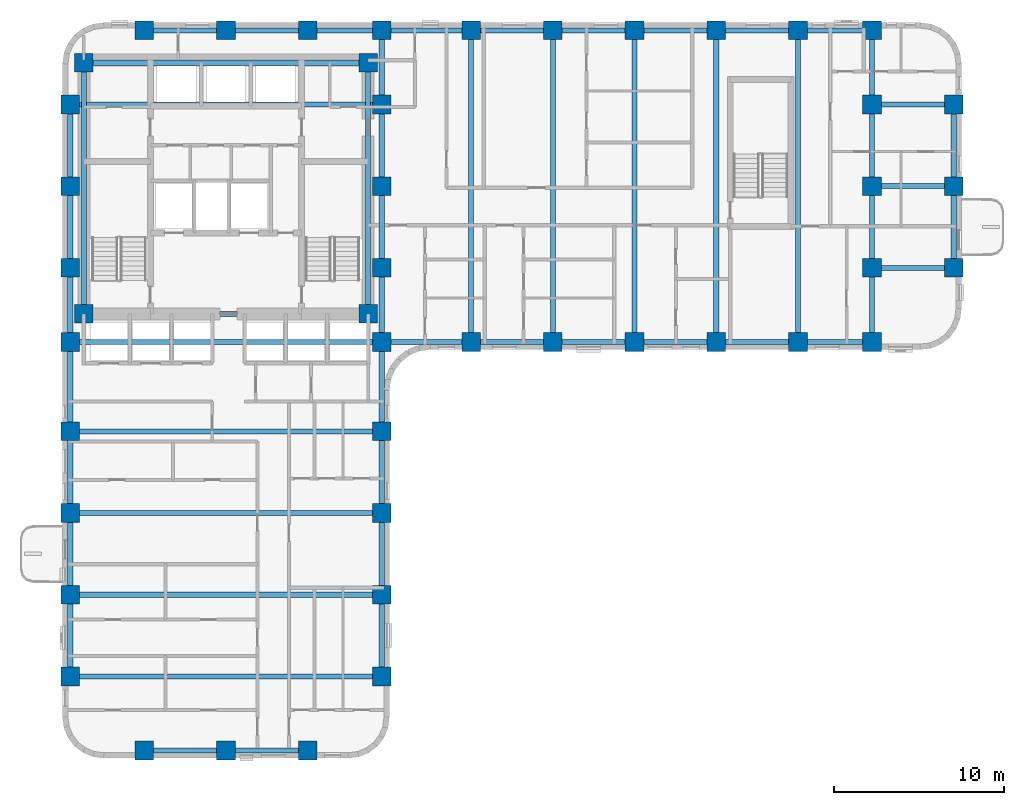
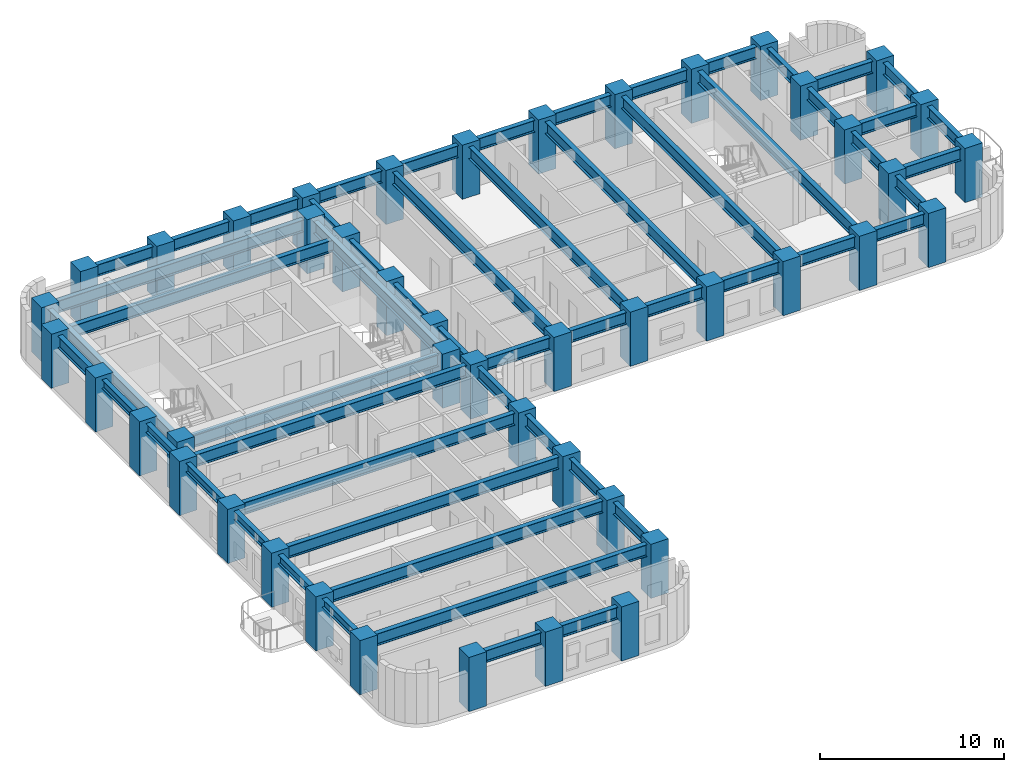
# One storey, part 1 of 11: 56 beams, 45 columns.
"""IFC4 building model written with IfcOpenShell, lengths in metres."""

from ifc_helpers import new_model, si_unit, direction, frame, origin, origin_2d, place, context, subcontext, project, spatial, rectangle, i_section, extrude, material, material_profile, profile_set, type_object, element, save


model = new_model("IFC4")

# Units and contexts
model_context = context("Model", 3, precision=1e-05, world=origin(), true_north=direction((0.0, 1.0)))
body_context = subcontext(model_context, "Body", "Model", "MODEL_VIEW")
ifc_project = project(units=[si_unit("LENGTHUNIT", "METRE"), si_unit("AREAUNIT", "SQUARE_METRE"), si_unit("VOLUMEUNIT", "CUBIC_METRE"), si_unit("PLANEANGLEUNIT", "RADIAN"), si_unit("MASSUNIT", "GRAM", prefix="KILO")], contexts=[model_context])

# Site, building, storey
site_placement = place(None, origin())
site = spatial("IfcSite", under=ifc_project, at=site_placement, CompositionType="ELEMENT")
building_placement = place(site_placement, origin())
building = spatial("IfcBuilding", under=site, at=building_placement, Name="Orvandelia Arch Residences", CompositionType="ELEMENT")
storey_placement = place(building_placement, frame((0.0, 0.0, 50.199951171875)))
storey = spatial("IfcBuildingStorey", under=building, at=storey_placement, Name="L12", CompositionType="ELEMENT", Elevation=50.199951171875)

# Columns
ifc_material_1 = material(Name="Concrete C80/95", Category="concrete")
ifc_material_profile_1 = material_profile(ifc_material_1, rectangle(XDim=1.10009765625, YDim=1.10009765625, at=origin_2d()), Name="Concrete C80/95", Category="concrete")
ifc_profile_set_1 = profile_set([ifc_material_profile_1], Name="Concrete C80/95")
column_type = type_object("IfcColumnType", Name="COL-TWR-1100", PredefinedType="COLUMN", material=ifc_profile_set_1)
for number, where, z_axis, x_axis, name in (
    (1, (5.25, 9.60009765625, 0.0), (0.0, 0.0, 1.0), (1.0, 0.0, 0.0), "Structural Column L12-W-W-96"),
    (2, (5.25, 14.39990234375, 0.0), (0.0, 0.0, 1.0), (1.0, 0.0, 0.0), "Structural Column L12-W-W-144"),
    (3, (5.25, 19.199951171875, 0.0), (0.0, 0.0, 1.0), (1.0, 0.0, 0.0), "Structural Column L12-W-W-192"),
    (4, (5.25, 24.0, 0.0), (0.0, 0.0, 1.0), (1.0, 0.0, 0.0), "Structural Column L12-W-W-240"),
    (5, (5.25, 29.25, 0.0), (0.0, 0.0, 1.0), (1.0, 0.0, 0.0), "Structural Column L12-W-W-292"),
    (6, (5.25, 33.60009765625, 0.0), (0.0, 0.0, 1.0), (1.0, 0.0, 0.0), "Structural Column L12-W-W-336"),
    (7, (5.25, 38.39990234375, 0.0), (0.0, 0.0, 1.0), (1.0, 0.0, 0.0), "Structural Column L12-W-W-384"),
    (8, (5.25, 43.199951171875, 0.0), (0.0, 0.0, 1.0), (1.0, 0.0, 0.0), "Structural Column L12-W-W-432"),
    (9, (6.050048828125, 30.89990234375, 0.0), (0.0, 0.0, 1.0), (1.0, 0.0, 0.0), "Structural Column L12-CR-SW"),
    (10, (6.050048828125, 45.64990234375, 0.0), (0.0, 0.0, 1.0), (1.0, 0.0, 0.0), "Structural Column L12-CR-NW"),
    (11, (9.60009765625, 5.25, 0.0), (0.0, 0.0, 1.0), (1.0, 0.0, 0.0), "Structural Column L12-W-S-96"),
    (12, (9.60009765625, 47.550048828125, 0.0), (0.0, 0.0, 1.0), (1.0, 0.0, 0.0), "Structural Column L12-W-N-96"),
    (13, (14.39990234375, 5.25, 0.0), (0.0, 0.0, 1.0), (1.0, 0.0, 0.0), "Structural Column L12-W-S-144"),
    (14, (14.39990234375, 47.550048828125, 0.0), (0.0, 0.0, 1.0), (1.0, 0.0, 0.0), "Structural Column L12-W-N-144"),
    (15, (19.199951171875, 5.25, 0.0), (0.0, 0.0, 1.0), (1.0, 0.0, 0.0), "Structural Column L12-W-S-192"),
    (16, (19.199951171875, 47.550048828125, 0.0), (0.0, 0.0, 1.0), (1.0, 0.0, 0.0), "Structural Column L12-W-N-192"),
    (17, (22.75, 30.89990234375, 0.0), (0.0, 0.0, 1.0), (1.0, 0.0, 0.0), "Structural Column L12-CR-SE"),
    (18, (22.75, 45.64990234375, 0.0), (0.0, 0.0, 1.0), (1.0, 0.0, 0.0), "Structural Column L12-CR-NE"),
    (19, (23.550048828125, 9.60009765625, 0.0), (0.0, 0.0, 1.0), (1.0, 0.0, 0.0), "Structural Column L12-W-E-96"),
    (20, (23.550048828125, 14.39990234375, 0.0), (0.0, 0.0, 1.0), (1.0, 0.0, 0.0), "Structural Column L12-W-E-144"),
    (21, (23.550048828125, 19.199951171875, 0.0), (0.0, 0.0, 1.0), (1.0, 0.0, 0.0), "Structural Column L12-W-E-192"),
    (22, (23.550048828125, 24.0, 0.0), (0.0, 0.0, 1.0), (1.0, 0.0, 0.0), "Structural Column L12-W-E-240"),
    (23, (23.550048828125, 29.25, 0.0), (0.0, 0.0, 1.0), (1.0, 0.0, 0.0), "Structural Column L12-W-E-292"),
    (24, (23.550048828125, 33.60009765625, 0.0), (0.0, 0.0, 1.0), (1.0, 0.0, 0.0), "Structural Column L12-W-E-336"),
    (25, (23.550048828125, 38.39990234375, 0.0), (0.0, 0.0, 1.0), (1.0, 0.0, 0.0), "Structural Column L12-W-E-384"),
    (26, (23.550048828125, 43.199951171875, 0.0), (0.0, 0.0, 1.0), (1.0, 0.0, 0.0), "Structural Column L12-W-E-432"),
    (27, (23.550048828125, 47.550048828125, 0.0), (0.0, 0.0, 1.0), (1.0, 0.0, 0.0), "Structural Column L12-W-N-235"),
    (28, (28.800048828125, 29.25, 0.0), (0.0, 0.0, 1.0), (1.0, 0.0, 0.0), "Structural Column L12-E-S-288"),
    (29, (28.800048828125, 47.550048828125, 0.0), (0.0, 0.0, 1.0), (1.0, 0.0, 0.0), "Structural Column L12-E-N-288"),
    (30, (33.60009765625, 29.25, 0.0), (0.0, 0.0, 1.0), (1.0, 0.0, 0.0), "Structural Column L12-E-S-336"),
    (31, (33.60009765625, 47.550048828125, 0.0), (0.0, 0.0, 1.0), (1.0, 0.0, 0.0), "Structural Column L12-E-N-336"),
    (32, (38.39990234375, 29.25, 0.0), (0.0, 0.0, 1.0), (1.0, 0.0, 0.0), "Structural Column L12-E-S-384"),
    (33, (38.39990234375, 47.550048828125, 0.0), (0.0, 0.0, 1.0), (1.0, 0.0, 0.0), "Structural Column L12-E-N-384"),
    (34, (43.199951171875, 29.25, 0.0), (0.0, 0.0, 1.0), (1.0, 0.0, 0.0), "Structural Column L12-E-S-432"),
    (35, (43.199951171875, 47.550048828125, 0.0), (0.0, 0.0, 1.0), (1.0, 0.0, 0.0), "Structural Column L12-E-N-432"),
    (36, (48.0, 29.25, 0.0), (0.0, 0.0, 1.0), (1.0, 0.0, 0.0), "Structural Column L12-E-S-480"),
    (37, (48.0, 47.550048828125, 0.0), (0.0, 0.0, 1.0), (1.0, 0.0, 0.0), "Structural Column L12-E-N-480"),
    (38, (52.35009765625, 29.25, 0.0), (0.0, 0.0, 1.0), (1.0, 0.0, 0.0), "Structural Column L12-E-S-523"),
    (39, (52.35009765625, 33.60009765625, 0.0), (0.0, 0.0, 1.0), (1.0, 0.0, 0.0), "Structural Column L12-E-523-336"),
    (40, (52.35009765625, 38.39990234375, 0.0), (0.0, 0.0, 1.0), (1.0, 0.0, 0.0), "Structural Column L12-E-523-384"),
    (41, (52.35009765625, 43.199951171875, 0.0), (0.0, 0.0, 1.0), (1.0, 0.0, 0.0), "Structural Column L12-E-523-432"),
    (42, (52.35009765625, 47.550048828125, 0.0), (0.0, 0.0, 1.0), (1.0, 0.0, 0.0), "Structural Column L12-E-N-523"),
    (43, (57.14990234375, 33.60009765625, 0.0), (0.0, 0.0, 1.0), (1.0, 0.0, 0.0), "Structural Column L12-E-571-336"),
    (44, (57.14990234375, 38.39990234375, 0.0), (0.0, 0.0, 1.0), (1.0, 0.0, 0.0), "Structural Column L12-E-571-384"),
    (45, (57.14990234375, 43.199951171875, 0.0), (0.0, 0.0, 1.0), (1.0, 0.0, 0.0), "Structural Column L12-E-571-432"),
):
    element("IfcColumn", number, at=place(storey_placement, frame(where, z_axis=z_axis, x_axis=x_axis)), inside=storey, type_object=column_type, Name=name, PredefinedType="COLUMN", context=body_context, shape_type="SweptSolid", body=[
        extrude(rectangle(XDim=1.10009765625, YDim=1.10009765625, at=origin_2d()), origin(), (0.0, 0.0, 1.0), 3.60009765625),
    ])

# Beams
ifc_material_2 = material(Name="Structural Steel SM355 (355 MPa)", Category="steel")
ifc_material_profile_2 = material_profile(ifc_material_2, i_section(OverallWidth=0.300048828125, OverallDepth=0.800048828125, WebThickness=0.013916015625, FlangeThickness=0.02587890625, FilletRadius=0.02587890625, at=origin_2d()), Name="Structural Steel SM355 (355 MPa)", Category="steel")
ifc_profile_set_2 = profile_set([ifc_material_profile_2], Name="Structural Steel SM355 (355 MPa)")
beam_type_1 = type_object("IfcBeamType", Name="BM-GRD-H800", PredefinedType="BEAM", material=ifc_profile_set_2)
beam_1_placement = place(storey_placement, frame((5.25, 38.39990234375, 2.949951171875), z_axis=(0.0, 1.0, 0.0), x_axis=(-1.0, 0.0, 0.0)))
element("IfcBeam", 46, at=beam_1_placement, inside=storey, type_object=beam_type_1, Name="Structural Frame Beam L12-NS-007", PredefinedType="BEAM", context=body_context, shape_type="SweptSolid", body=[
    extrude(i_section(OverallWidth=0.300048828125, OverallDepth=0.800048828125, WebThickness=0.013916015625, FlangeThickness=0.02587890625, FilletRadius=0.02587890625, at=origin_2d()), origin(), (0.0, 0.0, 1.0), 4.800048828125),
])
for number, where, z_axis, x_axis, name in (
    (47, (6.050048828125, 30.89990234375, 2.949951171875), (0.0, 1.0, 0.0), (-1.0, 0.0, 0.0), "Structural Frame Beam L12-NS-008"),
    (48, (22.75, 30.89990234375, 2.949951171875), (0.0, 1.0, 0.0), (-1.0, 0.0, 0.0), "Structural Frame Beam L12-NS-009"),
):
    element("IfcBeam", number, at=place(storey_placement, frame(where, z_axis=z_axis, x_axis=x_axis)), inside=storey, type_object=beam_type_1, Name=name, PredefinedType="BEAM", context=body_context, shape_type="SweptSolid", body=[
        extrude(i_section(OverallWidth=0.300048828125, OverallDepth=0.800048828125, WebThickness=0.013916015625, FlangeThickness=0.02587890625, FilletRadius=0.02587890625, at=origin_2d()), origin(), (0.0, 0.0, 1.0), 14.75),
    ])
beam_2_placement = place(storey_placement, frame((23.550048828125, 9.60009765625, 2.949951171875), z_axis=(0.0, 1.0, 0.0), x_axis=(-1.0, 0.0, 0.0)))
element("IfcBeam", 49, at=beam_2_placement, inside=storey, type_object=beam_type_1, Name="Structural Frame Beam L12-NS-010", PredefinedType="BEAM", context=body_context, shape_type="SweptSolid", body=[
    extrude(i_section(OverallWidth=0.300048828125, OverallDepth=0.800048828125, WebThickness=0.013916015625, FlangeThickness=0.02587890625, FilletRadius=0.02587890625, at=origin_2d()), origin(), (0.0, 0.0, 1.0), 4.7998046875),
])
for number, where, z_axis, x_axis, name in (
    (50, (23.550048828125, 14.39990234375, 2.949951171875), (0.0, 1.0, 0.0), (-1.0, 0.0, 0.0), "Structural Frame Beam L12-NS-011"),
    (51, (23.550048828125, 19.199951171875, 2.949951171875), (0.0, 1.0, 0.0), (-1.0, 0.0, 0.0), "Structural Frame Beam L12-NS-012"),
):
    element("IfcBeam", number, at=place(storey_placement, frame(where, z_axis=z_axis, x_axis=x_axis)), inside=storey, type_object=beam_type_1, Name=name, PredefinedType="BEAM", context=body_context, shape_type="SweptSolid", body=[
        extrude(i_section(OverallWidth=0.300048828125, OverallDepth=0.800048828125, WebThickness=0.013916015625, FlangeThickness=0.02587890625, FilletRadius=0.02587890625, at=origin_2d()), origin(), (0.0, 0.0, 1.0), 4.800048828125),
    ])
beam_3_placement = place(storey_placement, frame((23.550048828125, 24.0, 2.949951171875), z_axis=(0.0, 1.0, 0.0), x_axis=(-1.0, 0.0, 0.0)))
element("IfcBeam", 52, at=beam_3_placement, inside=storey, type_object=beam_type_1, Name="Structural Frame Beam L12-NS-013", PredefinedType="BEAM", context=body_context, shape_type="SweptSolid", body=[
    extrude(i_section(OverallWidth=0.300048828125, OverallDepth=0.800048828125, WebThickness=0.013916015625, FlangeThickness=0.02587890625, FilletRadius=0.02587890625, at=origin_2d()), origin(), (0.0, 0.0, 1.0), 5.25),
])
beam_4_placement = place(storey_placement, frame((23.550048828125, 29.25, 2.949951171875), z_axis=(0.0, 1.0, 0.0), x_axis=(-1.0, 0.0, 0.0)))
element("IfcBeam", 53, at=beam_4_placement, inside=storey, type_object=beam_type_1, Name="Structural Frame Beam L12-NS-014", PredefinedType="BEAM", context=body_context, shape_type="SweptSolid", body=[
    extrude(i_section(OverallWidth=0.300048828125, OverallDepth=0.800048828125, WebThickness=0.013916015625, FlangeThickness=0.02587890625, FilletRadius=0.02587890625, at=origin_2d()), origin(), (0.0, 0.0, 1.0), 4.35009765625),
])
beam_5_placement = place(storey_placement, frame((23.550048828125, 33.60009765625, 2.949951171875), z_axis=(0.0, 1.0, 0.0), x_axis=(-1.0, 0.0, 0.0)))
element("IfcBeam", 54, at=beam_5_placement, inside=storey, type_object=beam_type_1, Name="Structural Frame Beam L12-NS-015", PredefinedType="BEAM", context=body_context, shape_type="SweptSolid", body=[
    extrude(i_section(OverallWidth=0.300048828125, OverallDepth=0.800048828125, WebThickness=0.013916015625, FlangeThickness=0.02587890625, FilletRadius=0.02587890625, at=origin_2d()), origin(), (0.0, 0.0, 1.0), 4.7998046875),
])
beam_6_placement = place(storey_placement, frame((23.550048828125, 38.39990234375, 2.949951171875), z_axis=(0.0, 1.0, 0.0), x_axis=(-1.0, 0.0, 0.0)))
element("IfcBeam", 55, at=beam_6_placement, inside=storey, type_object=beam_type_1, Name="Structural Frame Beam L12-NS-016", PredefinedType="BEAM", context=body_context, shape_type="SweptSolid", body=[
    extrude(i_section(OverallWidth=0.300048828125, OverallDepth=0.800048828125, WebThickness=0.013916015625, FlangeThickness=0.02587890625, FilletRadius=0.02587890625, at=origin_2d()), origin(), (0.0, 0.0, 1.0), 4.800048828125),
])
beam_7_placement = place(storey_placement, frame((23.550048828125, 43.199951171875, 2.949951171875), z_axis=(0.0, 1.0, 0.0), x_axis=(-1.0, 0.0, 0.0)))
element("IfcBeam", 56, at=beam_7_placement, inside=storey, type_object=beam_type_1, Name="Structural Frame Beam L12-NS-017", PredefinedType="BEAM", context=body_context, shape_type="SweptSolid", body=[
    extrude(i_section(OverallWidth=0.300048828125, OverallDepth=0.800048828125, WebThickness=0.013916015625, FlangeThickness=0.02587890625, FilletRadius=0.02587890625, at=origin_2d()), origin(), (0.0, 0.0, 1.0), 4.35009765625),
])
for number, where, z_axis, x_axis, name in (
    (57, (28.800048828125, 29.25, 2.949951171875), (0.0, 1.0, 0.0), (-1.0, 0.0, 0.0), "Structural Frame Beam L12-NS-018"),
    (58, (33.60009765625, 29.25, 2.949951171875), (0.0, 1.0, 0.0), (-1.0, 0.0, 0.0), "Structural Frame Beam L12-NS-019"),
    (59, (38.39990234375, 29.25, 2.949951171875), (0.0, 1.0, 0.0), (-1.0, 0.0, 0.0), "Structural Frame Beam L12-NS-020"),
    (60, (43.199951171875, 29.25, 2.949951171875), (0.0, 1.0, 0.0), (-1.0, 0.0, 0.0), "Structural Frame Beam L12-NS-021"),
    (61, (48.0, 29.25, 2.949951171875), (0.0, 1.0, 0.0), (-1.0, 0.0, 0.0), "Structural Frame Beam L12-NS-022"),
):
    element("IfcBeam", number, at=place(storey_placement, frame(where, z_axis=z_axis, x_axis=x_axis)), inside=storey, type_object=beam_type_1, Name=name, PredefinedType="BEAM", context=body_context, shape_type="SweptSolid", body=[
        extrude(i_section(OverallWidth=0.300048828125, OverallDepth=0.800048828125, WebThickness=0.013916015625, FlangeThickness=0.02587890625, FilletRadius=0.02587890625, at=origin_2d()), origin(), (0.0, 0.0, 1.0), 18.300048828125),
    ])
beam_8_placement = place(storey_placement, frame((52.35009765625, 29.25, 2.949951171875), z_axis=(0.0, 1.0, 0.0), x_axis=(-1.0, 0.0, 0.0)))
element("IfcBeam", 62, at=beam_8_placement, inside=storey, type_object=beam_type_1, Name="Structural Frame Beam L12-NS-023", PredefinedType="BEAM", context=body_context, shape_type="SweptSolid", body=[
    extrude(i_section(OverallWidth=0.300048828125, OverallDepth=0.800048828125, WebThickness=0.013916015625, FlangeThickness=0.02587890625, FilletRadius=0.02587890625, at=origin_2d()), origin(), (0.0, 0.0, 1.0), 4.35009765625),
])
beam_9_placement = place(storey_placement, frame((52.35009765625, 33.60009765625, 2.949951171875), z_axis=(0.0, 1.0, 0.0), x_axis=(-1.0, 0.0, 0.0)))
element("IfcBeam", 63, at=beam_9_placement, inside=storey, type_object=beam_type_1, Name="Structural Frame Beam L12-NS-024", PredefinedType="BEAM", context=body_context, shape_type="SweptSolid", body=[
    extrude(i_section(OverallWidth=0.300048828125, OverallDepth=0.800048828125, WebThickness=0.013916015625, FlangeThickness=0.02587890625, FilletRadius=0.02587890625, at=origin_2d()), origin(), (0.0, 0.0, 1.0), 4.7998046875),
])
beam_10_placement = place(storey_placement, frame((52.35009765625, 38.39990234375, 2.949951171875), z_axis=(0.0, 1.0, 0.0), x_axis=(-1.0, 0.0, 0.0)))
element("IfcBeam", 64, at=beam_10_placement, inside=storey, type_object=beam_type_1, Name="Structural Frame Beam L12-NS-025", PredefinedType="BEAM", context=body_context, shape_type="SweptSolid", body=[
    extrude(i_section(OverallWidth=0.300048828125, OverallDepth=0.800048828125, WebThickness=0.013916015625, FlangeThickness=0.02587890625, FilletRadius=0.02587890625, at=origin_2d()), origin(), (0.0, 0.0, 1.0), 4.800048828125),
])
beam_11_placement = place(storey_placement, frame((52.35009765625, 43.199951171875, 2.949951171875), z_axis=(0.0, 1.0, 0.0), x_axis=(-1.0, 0.0, 0.0)))
element("IfcBeam", 65, at=beam_11_placement, inside=storey, type_object=beam_type_1, Name="Structural Frame Beam L12-NS-026", PredefinedType="BEAM", context=body_context, shape_type="SweptSolid", body=[
    extrude(i_section(OverallWidth=0.300048828125, OverallDepth=0.800048828125, WebThickness=0.013916015625, FlangeThickness=0.02587890625, FilletRadius=0.02587890625, at=origin_2d()), origin(), (0.0, 0.0, 1.0), 4.35009765625),
])
beam_12_placement = place(storey_placement, frame((57.14990234375, 33.60009765625, 2.949951171875), z_axis=(0.0, 1.0, 0.0), x_axis=(-1.0, 0.0, 0.0)))
element("IfcBeam", 66, at=beam_12_placement, inside=storey, type_object=beam_type_1, Name="Structural Frame Beam L12-NS-027", PredefinedType="BEAM", context=body_context, shape_type="SweptSolid", body=[
    extrude(i_section(OverallWidth=0.300048828125, OverallDepth=0.800048828125, WebThickness=0.013916015625, FlangeThickness=0.02587890625, FilletRadius=0.02587890625, at=origin_2d()), origin(), (0.0, 0.0, 1.0), 4.7998046875),
])
beam_13_placement = place(storey_placement, frame((57.14990234375, 38.39990234375, 2.949951171875), z_axis=(0.0, 1.0, 0.0), x_axis=(-1.0, 0.0, 0.0)))
element("IfcBeam", 67, at=beam_13_placement, inside=storey, type_object=beam_type_1, Name="Structural Frame Beam L12-NS-028", PredefinedType="BEAM", context=body_context, shape_type="SweptSolid", body=[
    extrude(i_section(OverallWidth=0.300048828125, OverallDepth=0.800048828125, WebThickness=0.013916015625, FlangeThickness=0.02587890625, FilletRadius=0.02587890625, at=origin_2d()), origin(), (0.0, 0.0, 1.0), 4.800048828125),
])
beam_14_placement = place(storey_placement, frame((9.60009765625, 5.25, 2.949951171875), z_axis=(1.0, 0.0, 0.0), x_axis=(0.0, 1.0, 0.0)))
element("IfcBeam", 68, at=beam_14_placement, inside=storey, type_object=beam_type_1, Name="Structural Frame Girder L12-EW-029", PredefinedType="BEAM", context=body_context, shape_type="SweptSolid", body=[
    extrude(i_section(OverallWidth=0.300048828125, OverallDepth=0.800048828125, WebThickness=0.013916015625, FlangeThickness=0.02587890625, FilletRadius=0.02587890625, at=origin_2d()), origin(), (0.0, 0.0, 1.0), 4.7998046875),
])
beam_15_placement = place(storey_placement, frame((14.39990234375, 5.25, 2.949951171875), z_axis=(1.0, 0.0, 0.0), x_axis=(0.0, 1.0, 0.0)))
element("IfcBeam", 69, at=beam_15_placement, inside=storey, type_object=beam_type_1, Name="Structural Frame Girder L12-EW-030", PredefinedType="BEAM", context=body_context, shape_type="SweptSolid", body=[
    extrude(i_section(OverallWidth=0.300048828125, OverallDepth=0.800048828125, WebThickness=0.013916015625, FlangeThickness=0.02587890625, FilletRadius=0.02587890625, at=origin_2d()), origin(), (0.0, 0.0, 1.0), 4.800048828125),
])
for number, where, z_axis, x_axis, name in (
    (70, (5.25, 9.60009765625, 2.949951171875), (1.0, 0.0, 0.0), (0.0, 1.0, 0.0), "Structural Frame Girder L12-EW-031"),
    (71, (5.25, 14.39990234375, 2.949951171875), (1.0, 0.0, 0.0), (0.0, 1.0, 0.0), "Structural Frame Girder L12-EW-032"),
    (72, (5.25, 19.199951171875, 2.949951171875), (1.0, 0.0, 0.0), (0.0, 1.0, 0.0), "Structural Frame Girder L12-EW-033"),
    (73, (5.25, 24.0, 2.949951171875), (1.0, 0.0, 0.0), (0.0, 1.0, 0.0), "Structural Frame Girder L12-EW-034"),
    (74, (5.25, 29.25, 2.949951171875), (1.0, 0.0, 0.0), (0.0, 1.0, 0.0), "Structural Frame Girder L12-EW-035"),
):
    element("IfcBeam", number, at=place(storey_placement, frame(where, z_axis=z_axis, x_axis=x_axis)), inside=storey, type_object=beam_type_1, Name=name, PredefinedType="BEAM", context=body_context, shape_type="SweptSolid", body=[
        extrude(i_section(OverallWidth=0.300048828125, OverallDepth=0.800048828125, WebThickness=0.013916015625, FlangeThickness=0.02587890625, FilletRadius=0.02587890625, at=origin_2d()), origin(), (0.0, 0.0, 1.0), 18.300048828125),
    ])
beam_16_placement = place(storey_placement, frame((23.550048828125, 29.25, 2.949951171875), z_axis=(1.0, 0.0, 0.0), x_axis=(0.0, 1.0, 0.0)))
element("IfcBeam", 75, at=beam_16_placement, inside=storey, type_object=beam_type_1, Name="Structural Frame Girder L12-EW-036", PredefinedType="BEAM", context=body_context, shape_type="SweptSolid", body=[
    extrude(i_section(OverallWidth=0.300048828125, OverallDepth=0.800048828125, WebThickness=0.013916015625, FlangeThickness=0.02587890625, FilletRadius=0.02587890625, at=origin_2d()), origin(), (0.0, 0.0, 1.0), 5.25),
])
beam_17_placement = place(storey_placement, frame((28.800048828125, 29.25, 2.949951171875), z_axis=(1.0, 0.0, 0.0), x_axis=(0.0, 1.0, 0.0)))
element("IfcBeam", 76, at=beam_17_placement, inside=storey, type_object=beam_type_1, Name="Structural Frame Girder L12-EW-037", PredefinedType="BEAM", context=body_context, shape_type="SweptSolid", body=[
    extrude(i_section(OverallWidth=0.300048828125, OverallDepth=0.800048828125, WebThickness=0.013916015625, FlangeThickness=0.02587890625, FilletRadius=0.02587890625, at=origin_2d()), origin(), (0.0, 0.0, 1.0), 4.800048828125),
])
beam_18_placement = place(storey_placement, frame((33.60009765625, 29.25, 2.949951171875), z_axis=(1.0, 0.0, 0.0), x_axis=(0.0, 1.0, 0.0)))
element("IfcBeam", 77, at=beam_18_placement, inside=storey, type_object=beam_type_1, Name="Structural Frame Girder L12-EW-038", PredefinedType="BEAM", context=body_context, shape_type="SweptSolid", body=[
    extrude(i_section(OverallWidth=0.300048828125, OverallDepth=0.800048828125, WebThickness=0.013916015625, FlangeThickness=0.02587890625, FilletRadius=0.02587890625, at=origin_2d()), origin(), (0.0, 0.0, 1.0), 4.7998046875),
])
for number, where, z_axis, x_axis, name in (
    (78, (38.39990234375, 29.25, 2.949951171875), (1.0, 0.0, 0.0), (0.0, 1.0, 0.0), "Structural Frame Girder L12-EW-039"),
    (79, (43.199951171875, 29.25, 2.949951171875), (1.0, 0.0, 0.0), (0.0, 1.0, 0.0), "Structural Frame Girder L12-EW-040"),
):
    element("IfcBeam", number, at=place(storey_placement, frame(where, z_axis=z_axis, x_axis=x_axis)), inside=storey, type_object=beam_type_1, Name=name, PredefinedType="BEAM", context=body_context, shape_type="SweptSolid", body=[
        extrude(i_section(OverallWidth=0.300048828125, OverallDepth=0.800048828125, WebThickness=0.013916015625, FlangeThickness=0.02587890625, FilletRadius=0.02587890625, at=origin_2d()), origin(), (0.0, 0.0, 1.0), 4.800048828125),
    ])
beam_19_placement = place(storey_placement, frame((48.0, 29.25, 2.949951171875), z_axis=(1.0, 0.0, 0.0), x_axis=(0.0, 1.0, 0.0)))
element("IfcBeam", 80, at=beam_19_placement, inside=storey, type_object=beam_type_1, Name="Structural Frame Girder L12-EW-041", PredefinedType="BEAM", context=body_context, shape_type="SweptSolid", body=[
    extrude(i_section(OverallWidth=0.300048828125, OverallDepth=0.800048828125, WebThickness=0.013916015625, FlangeThickness=0.02587890625, FilletRadius=0.02587890625, at=origin_2d()), origin(), (0.0, 0.0, 1.0), 4.35009765625),
])
beam_20_placement = place(storey_placement, frame((6.050048828125, 30.89990234375, 2.949951171875), z_axis=(1.0, 0.0, 0.0), x_axis=(0.0, 1.0, 0.0)))
element("IfcBeam", 81, at=beam_20_placement, inside=storey, type_object=beam_type_1, Name="Structural Frame Girder L12-EW-042", PredefinedType="BEAM", context=body_context, shape_type="SweptSolid", body=[
    extrude(i_section(OverallWidth=0.300048828125, OverallDepth=0.800048828125, WebThickness=0.013916015625, FlangeThickness=0.02587890625, FilletRadius=0.02587890625, at=origin_2d()), origin(), (0.0, 0.0, 1.0), 16.699951171875),
])
for number, where, z_axis, x_axis, name in (
    (82, (52.35009765625, 33.60009765625, 2.949951171875), (1.0, 0.0, 0.0), (0.0, 1.0, 0.0), "Structural Frame Girder L12-EW-044"),
    (83, (52.35009765625, 38.39990234375, 2.949951171875), (1.0, 0.0, 0.0), (0.0, 1.0, 0.0), "Structural Frame Girder L12-EW-046"),
):
    element("IfcBeam", number, at=place(storey_placement, frame(where, z_axis=z_axis, x_axis=x_axis)), inside=storey, type_object=beam_type_1, Name=name, PredefinedType="BEAM", context=body_context, shape_type="SweptSolid", body=[
        extrude(i_section(OverallWidth=0.300048828125, OverallDepth=0.800048828125, WebThickness=0.013916015625, FlangeThickness=0.02587890625, FilletRadius=0.02587890625, at=origin_2d()), origin(), (0.0, 0.0, 1.0), 4.7998046875),
    ])
beam_21_placement = place(storey_placement, frame((5.25, 43.199951171875, 2.949951171875), z_axis=(1.0, 0.0, 0.0), x_axis=(0.0, 1.0, 0.0)))
element("IfcBeam", 84, at=beam_21_placement, inside=storey, type_object=beam_type_1, Name="Structural Frame Girder L12-EW-047", PredefinedType="BEAM", context=body_context, shape_type="SweptSolid", body=[
    extrude(i_section(OverallWidth=0.300048828125, OverallDepth=0.800048828125, WebThickness=0.013916015625, FlangeThickness=0.02587890625, FilletRadius=0.02587890625, at=origin_2d()), origin(), (0.0, 0.0, 1.0), 18.300048828125),
])
beam_22_placement = place(storey_placement, frame((52.35009765625, 43.199951171875, 2.949951171875), z_axis=(1.0, 0.0, 0.0), x_axis=(0.0, 1.0, 0.0)))
element("IfcBeam", 85, at=beam_22_placement, inside=storey, type_object=beam_type_1, Name="Structural Frame Girder L12-EW-048", PredefinedType="BEAM", context=body_context, shape_type="SweptSolid", body=[
    extrude(i_section(OverallWidth=0.300048828125, OverallDepth=0.800048828125, WebThickness=0.013916015625, FlangeThickness=0.02587890625, FilletRadius=0.02587890625, at=origin_2d()), origin(), (0.0, 0.0, 1.0), 4.7998046875),
])
beam_23_placement = place(storey_placement, frame((6.050048828125, 45.64990234375, 2.949951171875), z_axis=(1.0, 0.0, 0.0), x_axis=(0.0, 1.0, 0.0)))
element("IfcBeam", 86, at=beam_23_placement, inside=storey, type_object=beam_type_1, Name="Structural Frame Girder L12-EW-049", PredefinedType="BEAM", context=body_context, shape_type="SweptSolid", body=[
    extrude(i_section(OverallWidth=0.300048828125, OverallDepth=0.800048828125, WebThickness=0.013916015625, FlangeThickness=0.02587890625, FilletRadius=0.02587890625, at=origin_2d()), origin(), (0.0, 0.0, 1.0), 16.699951171875),
])
beam_24_placement = place(storey_placement, frame((9.60009765625, 47.550048828125, 2.949951171875), z_axis=(1.0, 0.0, 0.0), x_axis=(0.0, 1.0, 0.0)))
element("IfcBeam", 87, at=beam_24_placement, inside=storey, type_object=beam_type_1, Name="Structural Frame Girder L12-EW-050", PredefinedType="BEAM", context=body_context, shape_type="SweptSolid", body=[
    extrude(i_section(OverallWidth=0.300048828125, OverallDepth=0.800048828125, WebThickness=0.013916015625, FlangeThickness=0.02587890625, FilletRadius=0.02587890625, at=origin_2d()), origin(), (0.0, 0.0, 1.0), 4.7998046875),
])
beam_25_placement = place(storey_placement, frame((14.39990234375, 47.550048828125, 2.949951171875), z_axis=(1.0, 0.0, 0.0), x_axis=(0.0, 1.0, 0.0)))
element("IfcBeam", 88, at=beam_25_placement, inside=storey, type_object=beam_type_1, Name="Structural Frame Girder L12-EW-051", PredefinedType="BEAM", context=body_context, shape_type="SweptSolid", body=[
    extrude(i_section(OverallWidth=0.300048828125, OverallDepth=0.800048828125, WebThickness=0.013916015625, FlangeThickness=0.02587890625, FilletRadius=0.02587890625, at=origin_2d()), origin(), (0.0, 0.0, 1.0), 4.800048828125),
])
beam_26_placement = place(storey_placement, frame((19.199951171875, 47.550048828125, 2.949951171875), z_axis=(1.0, 0.0, 0.0), x_axis=(0.0, 1.0, 0.0)))
element("IfcBeam", 89, at=beam_26_placement, inside=storey, type_object=beam_type_1, Name="Structural Frame Girder L12-EW-052", PredefinedType="BEAM", context=body_context, shape_type="SweptSolid", body=[
    extrude(i_section(OverallWidth=0.300048828125, OverallDepth=0.800048828125, WebThickness=0.013916015625, FlangeThickness=0.02587890625, FilletRadius=0.02587890625, at=origin_2d()), origin(), (0.0, 0.0, 1.0), 4.35009765625),
])
beam_27_placement = place(storey_placement, frame((23.550048828125, 47.550048828125, 2.949951171875), z_axis=(1.0, 0.0, 0.0), x_axis=(0.0, 1.0, 0.0)))
element("IfcBeam", 90, at=beam_27_placement, inside=storey, type_object=beam_type_1, Name="Structural Frame Girder L12-EW-053", PredefinedType="BEAM", context=body_context, shape_type="SweptSolid", body=[
    extrude(i_section(OverallWidth=0.300048828125, OverallDepth=0.800048828125, WebThickness=0.013916015625, FlangeThickness=0.02587890625, FilletRadius=0.02587890625, at=origin_2d()), origin(), (0.0, 0.0, 1.0), 5.25),
])
beam_28_placement = place(storey_placement, frame((28.800048828125, 47.550048828125, 2.949951171875), z_axis=(1.0, 0.0, 0.0), x_axis=(0.0, 1.0, 0.0)))
element("IfcBeam", 91, at=beam_28_placement, inside=storey, type_object=beam_type_1, Name="Structural Frame Girder L12-EW-054", PredefinedType="BEAM", context=body_context, shape_type="SweptSolid", body=[
    extrude(i_section(OverallWidth=0.300048828125, OverallDepth=0.800048828125, WebThickness=0.013916015625, FlangeThickness=0.02587890625, FilletRadius=0.02587890625, at=origin_2d()), origin(), (0.0, 0.0, 1.0), 4.800048828125),
])
beam_29_placement = place(storey_placement, frame((33.60009765625, 47.550048828125, 2.949951171875), z_axis=(1.0, 0.0, 0.0), x_axis=(0.0, 1.0, 0.0)))
element("IfcBeam", 92, at=beam_29_placement, inside=storey, type_object=beam_type_1, Name="Structural Frame Girder L12-EW-055", PredefinedType="BEAM", context=body_context, shape_type="SweptSolid", body=[
    extrude(i_section(OverallWidth=0.300048828125, OverallDepth=0.800048828125, WebThickness=0.013916015625, FlangeThickness=0.02587890625, FilletRadius=0.02587890625, at=origin_2d()), origin(), (0.0, 0.0, 1.0), 4.7998046875),
])
for number, where, z_axis, x_axis, name in (
    (93, (38.39990234375, 47.550048828125, 2.949951171875), (1.0, 0.0, 0.0), (0.0, 1.0, 0.0), "Structural Frame Girder L12-EW-056"),
    (94, (43.199951171875, 47.550048828125, 2.949951171875), (1.0, 0.0, 0.0), (0.0, 1.0, 0.0), "Structural Frame Girder L12-EW-057"),
):
    element("IfcBeam", number, at=place(storey_placement, frame(where, z_axis=z_axis, x_axis=x_axis)), inside=storey, type_object=beam_type_1, Name=name, PredefinedType="BEAM", context=body_context, shape_type="SweptSolid", body=[
        extrude(i_section(OverallWidth=0.300048828125, OverallDepth=0.800048828125, WebThickness=0.013916015625, FlangeThickness=0.02587890625, FilletRadius=0.02587890625, at=origin_2d()), origin(), (0.0, 0.0, 1.0), 4.800048828125),
    ])
beam_30_placement = place(storey_placement, frame((48.0, 47.550048828125, 2.949951171875), z_axis=(1.0, 0.0, 0.0), x_axis=(0.0, 1.0, 0.0)))
element("IfcBeam", 95, at=beam_30_placement, inside=storey, type_object=beam_type_1, Name="Structural Frame Girder L12-EW-058", PredefinedType="BEAM", context=body_context, shape_type="SweptSolid", body=[
    extrude(i_section(OverallWidth=0.300048828125, OverallDepth=0.800048828125, WebThickness=0.013916015625, FlangeThickness=0.02587890625, FilletRadius=0.02587890625, at=origin_2d()), origin(), (0.0, 0.0, 1.0), 4.35009765625),
])
ifc_material_profile_3 = material_profile(ifc_material_2, i_section(OverallWidth=0.300048828125, OverallDepth=0.587890625, WebThickness=0.011962890625, FlangeThickness=0.02001953125, FilletRadius=0.02197265625, at=origin_2d()), Name="Structural Steel SM355 (355 MPa)", Category="steel")
ifc_profile_set_3 = profile_set([ifc_material_profile_3], Name="Structural Steel SM355 (355 MPa)")
beam_type_2 = type_object("IfcBeamType", Name="BM-SPN-H588", PredefinedType="SPANDREL", material=ifc_profile_set_3)
beam_31_placement = place(storey_placement, frame((5.25, 9.60009765625, 3.05615234375), z_axis=(0.0, 1.0, 0.0), x_axis=(-1.0, 0.0, 0.0)))
element("IfcBeam", 96, at=beam_31_placement, inside=storey, type_object=beam_type_2, Name="Structural Frame Beam L12-NS-001", PredefinedType="SPANDREL", context=body_context, shape_type="SweptSolid", body=[
    extrude(i_section(OverallWidth=0.300048828125, OverallDepth=0.587890625, WebThickness=0.011962890625, FlangeThickness=0.02001953125, FilletRadius=0.02197265625, at=origin_2d()), origin(), (0.0, 0.0, 1.0), 4.7998046875),
])
for number, where, z_axis, x_axis, name in (
    (97, (5.25, 14.39990234375, 3.05615234375), (0.0, 1.0, 0.0), (-1.0, 0.0, 0.0), "Structural Frame Beam L12-NS-002"),
    (98, (5.25, 19.199951171875, 3.05615234375), (0.0, 1.0, 0.0), (-1.0, 0.0, 0.0), "Structural Frame Beam L12-NS-003"),
):
    element("IfcBeam", number, at=place(storey_placement, frame(where, z_axis=z_axis, x_axis=x_axis)), inside=storey, type_object=beam_type_2, Name=name, PredefinedType="SPANDREL", context=body_context, shape_type="SweptSolid", body=[
        extrude(i_section(OverallWidth=0.300048828125, OverallDepth=0.587890625, WebThickness=0.011962890625, FlangeThickness=0.02001953125, FilletRadius=0.02197265625, at=origin_2d()), origin(), (0.0, 0.0, 1.0), 4.800048828125),
    ])
beam_32_placement = place(storey_placement, frame((5.25, 24.0, 3.05615234375), z_axis=(0.0, 1.0, 0.0), x_axis=(-1.0, 0.0, 0.0)))
element("IfcBeam", 99, at=beam_32_placement, inside=storey, type_object=beam_type_2, Name="Structural Frame Beam L12-NS-004", PredefinedType="SPANDREL", context=body_context, shape_type="SweptSolid", body=[
    extrude(i_section(OverallWidth=0.300048828125, OverallDepth=0.587890625, WebThickness=0.011962890625, FlangeThickness=0.02001953125, FilletRadius=0.02197265625, at=origin_2d()), origin(), (0.0, 0.0, 1.0), 5.25),
])
beam_33_placement = place(storey_placement, frame((5.25, 29.25, 3.05615234375), z_axis=(0.0, 1.0, 0.0), x_axis=(-1.0, 0.0, 0.0)))
element("IfcBeam", 100, at=beam_33_placement, inside=storey, type_object=beam_type_2, Name="Structural Frame Beam L12-NS-005", PredefinedType="SPANDREL", context=body_context, shape_type="SweptSolid", body=[
    extrude(i_section(OverallWidth=0.300048828125, OverallDepth=0.587890625, WebThickness=0.011962890625, FlangeThickness=0.02001953125, FilletRadius=0.02197265625, at=origin_2d()), origin(), (0.0, 0.0, 1.0), 4.35009765625),
])
beam_34_placement = place(storey_placement, frame((5.25, 33.60009765625, 3.05615234375), z_axis=(0.0, 1.0, 0.0), x_axis=(-1.0, 0.0, 0.0)))
element("IfcBeam", 101, at=beam_34_placement, inside=storey, type_object=beam_type_2, Name="Structural Frame Beam L12-NS-006", PredefinedType="SPANDREL", context=body_context, shape_type="SweptSolid", body=[
    extrude(i_section(OverallWidth=0.300048828125, OverallDepth=0.587890625, WebThickness=0.011962890625, FlangeThickness=0.02001953125, FilletRadius=0.02197265625, at=origin_2d()), origin(), (0.0, 0.0, 1.0), 4.7998046875),
])

save(model, "model.ifc")
